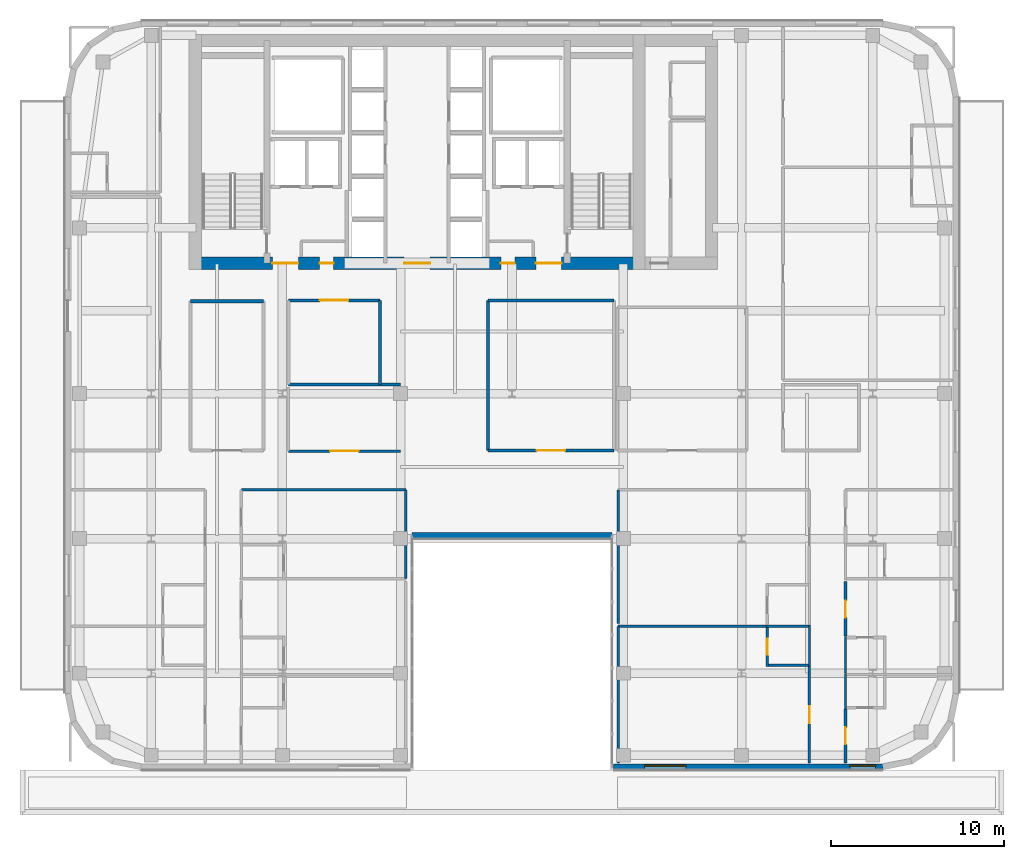
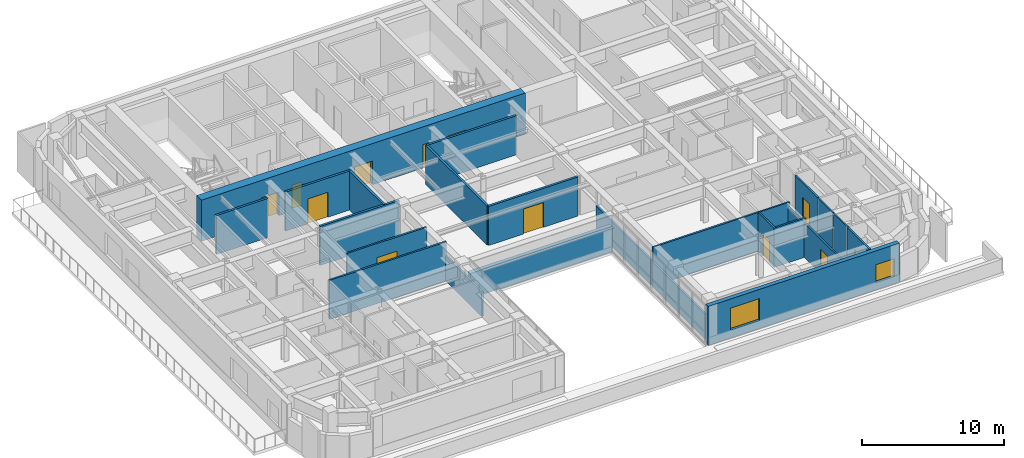
# One storey, part 11 of 20: 25 walls, 12 doors, 2 windows, 14 openings.
"""IFC4 building model written with IfcOpenShell, lengths in metres."""

from ifc_helpers import new_model, si_unit, direction, frame, frame_2d, origin, place, context, subcontext, project, spatial, rectangle, extrude, source, transform, mapped, material, layer, layer_set, type_object, type_shapes, element, fill, save


model = new_model("IFC4")

# Units and contexts
model_context = context("Model", 3, precision=1e-05, world=origin(), true_north=direction((0.0, 1.0)))
body_context = subcontext(model_context, "Body", "Model", "MODEL_VIEW")
ifc_project = project(units=[si_unit("LENGTHUNIT", "METRE"), si_unit("AREAUNIT", "SQUARE_METRE"), si_unit("VOLUMEUNIT", "CUBIC_METRE"), si_unit("PLANEANGLEUNIT", "RADIAN"), si_unit("MASSUNIT", "GRAM", prefix="KILO")], contexts=[model_context])

# Site, building, storey
site_placement = place(None, origin())
site = spatial("IfcSite", under=ifc_project, at=site_placement, CompositionType="ELEMENT")
building_placement = place(site_placement, origin())
building = spatial("IfcBuilding", under=site, at=building_placement, Name="Tolvann Quenvar Hotel", CompositionType="ELEMENT")
storey_placement = place(building_placement, frame((0.0, 0.0, 147.050048828125)))
storey = spatial("IfcBuildingStorey", under=building, at=storey_placement, Name="L38", CompositionType="ELEMENT", Elevation=147.050048828125)

# Wall, openings, doors
ifc_material_1 = material(Name="Concrete S65 (65 MPa)", Category="concrete")
ifc_layer_1 = layer(ifc_material_1, 0.699951171875)
ifc_layer_set_1 = layer_set([ifc_layer_1], Name="Concrete S65 (65 MPa)")
wall_type_1 = type_object("IfcWallType", Name="WALL_CORE_700", PredefinedType="SHEAR", material=ifc_layer_set_1)
wall_1_placement = place(storey_placement, frame((9.800048828125, 31.949951171875, 0.0), z_axis=(0.0, 0.0, 1.0), x_axis=(1.0, 0.0, 0.0)))
wall_1 = element("IfcWall", 1, at=wall_1_placement, inside=storey, type_object=wall_type_1, Name="Rear Core S Shear Wall (L38)", PredefinedType="SHEAR", context=body_context, shape_type="SweptSolid", body=[
    extrude(rectangle(XDim=26.39990234375, YDim=0.699951171875, at=frame_2d((13.199951171875, 0.0))), origin(), (0.0, 0.0, 1.0), 3.550048828125),
])
opening_1_placement = place(wall_1_placement, frame((6.320068359375, 0.0, 0.0), z_axis=(0.0, 0.0, 1.0), x_axis=(-1.0, 0.0, 0.0)))
opening_1 = element("IfcOpeningElement", 2, at=opening_1_placement, cuts=wall_1, Name="Opening FD-60D", PredefinedType="OPENING", context=body_context, shape_type="SweptSolid", body=[
    extrude(rectangle(XDim=1.5, YDim=2.0400390625, at=frame_2d((0.75, 1.02001953125))), frame((0.0, 0.35986328125, 0.0), z_axis=(0.0, -1.0, 0.0), x_axis=(1.0, 0.0, 0.0)), (0.0, 0.0, 1.0), 0.719970703125),
])
opening_2_placement = place(wall_1_placement, frame((13.949951171875, 0.0, 0.0), z_axis=(0.0, 0.0, 1.0), x_axis=(-1.0, 0.0, 0.0)))
opening_2 = element("IfcOpeningElement", 3, at=opening_2_placement, cuts=wall_1, Name="Opening FD-60D", PredefinedType="OPENING", context=body_context, shape_type="SweptSolid", body=[
    extrude(rectangle(XDim=1.5, YDim=2.0400390625, at=frame_2d((0.75, 1.02001953125))), frame((0.0, 0.35986328125, 0.0), z_axis=(0.0, -1.0, 0.0), x_axis=(1.0, 0.0, 0.0)), (0.0, 0.0, 1.0), 0.719970703125),
])
opening_3_placement = place(wall_1_placement, frame((21.580078125, 0.0, 0.0), z_axis=(0.0, 0.0, 1.0), x_axis=(-1.0, 0.0, 0.0)))
opening_3 = element("IfcOpeningElement", 4, at=opening_3_placement, cuts=wall_1, Name="Opening FD-60D", PredefinedType="OPENING", context=body_context, shape_type="SweptSolid", body=[
    extrude(rectangle(XDim=1.5, YDim=2.0400390625, at=frame_2d((0.75, 1.02001953125))), frame((0.0, 0.35986328125, 0.0), z_axis=(0.0, -1.0, 0.0), x_axis=(1.0, 0.0, 0.0)), (0.0, 0.0, 1.0), 0.719970703125),
])
opening_4_placement = place(wall_1_placement, frame((8.3701171875, 0.0, 0.0), z_axis=(0.0, 0.0, 1.0), x_axis=(-1.0, 0.0, 0.0)))
opening_4 = element("IfcOpeningElement", 5, at=opening_4_placement, cuts=wall_1, Name="Opening HD-02", PredefinedType="OPENING", context=body_context, shape_type="SweptSolid", body=[
    extrude(rectangle(XDim=0.820068359375, YDim=2.010009765625, at=frame_2d((0.41015625, 1.0048828125))), frame((0.0, 0.35986328125, 0.0), z_axis=(0.0, -1.0, 0.0), x_axis=(1.0, 0.0, 0.0)), (0.0, 0.0, 1.0), 0.719970703125),
])
opening_5_placement = place(wall_1_placement, frame((18.8701171875, 0.0, 0.0), z_axis=(0.0, 0.0, 1.0), x_axis=(-1.0, 0.0, 0.0)))
opening_5 = element("IfcOpeningElement", 6, at=opening_5_placement, cuts=wall_1, Name="Opening HD-02", PredefinedType="OPENING", context=body_context, shape_type="SweptSolid", body=[
    extrude(rectangle(XDim=0.820068359375, YDim=2.010009765625, at=frame_2d((0.41015625, 1.0048828125))), frame((0.0, 0.35986328125, 0.0), z_axis=(0.0, -1.0, 0.0), x_axis=(1.0, 0.0, 0.0)), (0.0, 0.0, 1.0), 0.719970703125),
])
ifc_material_2 = material(Name="Solid-core American oak acoustic fire door leaf in steel frame", Category="steel")
door_type_1 = type_object("IfcDoorType", Name="DOOR_FIRE_LOBBY_1500", OperationType="NOTDEFINED", PredefinedType="DOOR", material=ifc_material_2)
shared_shape_1 = source(origin(), body_context, "Body", "SweptSolid", [
    extrude(rectangle(XDim=1.5, YDim=2.0400390625, at=frame_2d((0.75, 1.02001953125))), frame((0.0, 0.02490234375, 0.0), z_axis=(0.0, -1.0, 0.0), x_axis=(1.0, 0.0, 0.0)), (0.0, 0.0, 1.0), 0.050048828125),
])
type_shapes(door_type_1, [shared_shape_1])
door_1_placement = place(opening_1_placement, origin())
door_1 = element("IfcDoor", 7, at=door_1_placement, inside=storey, type_object=door_type_1, Name="Core Lobby Fire Door FFW (L38)", OperationType="DOUBLE_DOOR_SINGLE_SWING", OverallHeight=2.0400390625, OverallWidth=1.5, PredefinedType="DOOR", context=body_context, shape_type="MappedRepresentation", body=[
    mapped(shared_shape_1, transform((0.0, 0.0, 0.0), x_axis=(1.0, 0.0, 0.0), y_axis=(0.0, 1.0, 0.0), z_axis=(0.0, 0.0, 1.0), scale=1.0)),
])
fill(opening_1, door_1)
door_2_placement = place(opening_2_placement, origin())
door_2 = element("IfcDoor", 8, at=door_2_placement, inside=storey, type_object=door_type_1, Name="Core Lobby Fire Door CLOB (L38)", OperationType="DOUBLE_DOOR_SINGLE_SWING", OverallHeight=2.0400390625, OverallWidth=1.5, PredefinedType="DOOR", context=body_context, shape_type="MappedRepresentation", body=[
    mapped(shared_shape_1, transform((0.0, 0.0, 0.0), x_axis=(1.0, 0.0, 0.0), y_axis=(0.0, 1.0, 0.0), z_axis=(0.0, 0.0, 1.0), scale=1.0)),
])
fill(opening_2, door_2)
door_3_placement = place(opening_3_placement, origin())
door_3 = element("IfcDoor", 9, at=door_3_placement, inside=storey, type_object=door_type_1, Name="Core Lobby Fire Door FFE (L38)", OperationType="DOUBLE_DOOR_SINGLE_SWING", OverallHeight=2.0400390625, OverallWidth=1.5, PredefinedType="DOOR", context=body_context, shape_type="MappedRepresentation", body=[
    mapped(shared_shape_1, transform((0.0, 0.0, 0.0), x_axis=(1.0, 0.0, 0.0), y_axis=(0.0, 1.0, 0.0), z_axis=(0.0, 0.0, 1.0), scale=1.0)),
])
fill(opening_3, door_3)
ifc_material_3 = material(Name="Pressed galvanised steel fire-rated door set", Category="steel")
door_type_2 = type_object("IfcDoorType", Name="DOOR_STORE_820", OperationType="NOTDEFINED", PredefinedType="DOOR", material=ifc_material_3)
shared_shape_2 = source(origin(), body_context, "Body", "SweptSolid", [
    extrude(rectangle(XDim=0.820068359375, YDim=2.010009765625, at=frame_2d((0.41015625, 1.0048828125))), frame((0.0, 0.02490234375, 0.0), z_axis=(0.0, -1.0, 0.0), x_axis=(1.0, 0.0, 0.0)), (0.0, 0.0, 1.0), 0.050048828125),
])
type_shapes(door_type_2, [shared_shape_2])
door_4_placement = place(opening_4_placement, origin())
door_4 = element("IfcDoor", 10, at=door_4_placement, inside=storey, type_object=door_type_2, Name="Core Linen Store Fire Door (L38)", OperationType="SINGLE_SWING_LEFT", OverallHeight=2.010009765625, OverallWidth=0.820068359375, PredefinedType="DOOR", context=body_context, shape_type="MappedRepresentation", body=[
    mapped(shared_shape_2, transform((0.0, 0.0, 0.0), x_axis=(1.0, 0.0, 0.0), y_axis=(0.0, 1.0, 0.0), z_axis=(0.0, 0.0, 1.0), scale=1.0)),
])
fill(opening_4, door_4)
door_5_placement = place(opening_5_placement, origin())
door_5 = element("IfcDoor", 11, at=door_5_placement, inside=storey, type_object=door_type_2, Name="Core Comms Closet Fire Door (L38)", OperationType="SINGLE_SWING_RIGHT", OverallHeight=2.010009765625, OverallWidth=0.820068359375, PredefinedType="DOOR", context=body_context, shape_type="MappedRepresentation", body=[
    mapped(shared_shape_2, transform((0.0, 0.0, 0.0), x_axis=(1.0, 0.0, 0.0), y_axis=(0.0, 1.0, 0.0), z_axis=(0.0, 0.0, 1.0), scale=1.0)),
])
fill(opening_5, door_5)

# Wall
ifc_material_4 = material(Name="Kiln-fired red and buff architectural clay brickwork and terracotta masonry", Category="masonry")
ifc_layer_2 = layer(ifc_material_4, 0.35009765625)
ifc_layer_set_2 = layer_set([ifc_layer_2], Name="Kiln-fired red and buff architectural clay brickwork and terracotta masonry")
wall_type_2 = type_object("IfcWallType", Name="WALL_EXT_BRICK_350", PredefinedType="SOLIDWALL", material=ifc_layer_set_2)
wall_2_placement = place(storey_placement, frame((22.7099609375, 16.175048828125, 0.0), z_axis=(0.0, 0.0, 1.0), x_axis=(1.0, 0.0, 0.0)))
element("IfcWall", 12, at=wall_2_placement, inside=storey, type_object=wall_type_2, Name="Exterior Chicago Brick Wall L38-E06", PredefinedType="SOLIDWALL", context=body_context, shape_type="SweptSolid", body=[
    extrude(rectangle(XDim=11.580078125, YDim=0.35009765625, at=frame_2d((5.7900390625, 0.0))), origin(), (0.0, 0.0, 1.0), 2.159912109375),
])

# Wall, openings, windows
wall_3_placement = place(storey_placement, frame((34.375, 2.77490234375, 0.0), z_axis=(0.0, 0.0, 1.0), x_axis=(1.0, 0.0, 0.0)))
wall_3 = element("IfcWall", 13, at=wall_3_placement, inside=storey, type_object=wall_type_2, Name="Exterior Chicago Brick Wall L38-E08", PredefinedType="SOLIDWALL", context=body_context, shape_type="SweptSolid", body=[
    extrude(rectangle(XDim=15.60791015625, YDim=0.35009765625, at=frame_2d((7.803955078125, 0.0))), origin(), (0.0, 0.0, 1.0), 3.369873046875),
])
opening_6_placement = place(wall_3_placement, frame((1.801025390625, 0.0, 0.679931640625)))
opening_6 = element("IfcOpeningElement", 14, at=opening_6_placement, cuts=wall_3, Name="Opening W-01", PredefinedType="OPENING", context=body_context, shape_type="SweptSolid", body=[
    extrude(rectangle(XDim=2.39990234375, YDim=1.89990234375, at=frame_2d((1.199951171875, 0.949951171875))), frame((0.0, 0.18505859375, 0.0), z_axis=(0.0, -1.0, 0.0), x_axis=(1.0, 0.0, 0.0)), (0.0, 0.0, 1.0), 0.3701171875),
])
opening_7_placement = place(wall_3_placement, frame((13.69091796875, 0.0, 0.6201171875)))
opening_7 = element("IfcOpeningElement", 15, at=opening_7_placement, cuts=wall_3, Name="Opening W-08", PredefinedType="OPENING", context=body_context, shape_type="SweptSolid", body=[
    extrude(rectangle(XDim=1.5, YDim=1.550048828125, at=frame_2d((0.75, 0.77490234375))), frame((0.0, 0.18505859375, 0.0), z_axis=(0.0, -1.0, 0.0), x_axis=(1.0, 0.0, 0.0)), (0.0, 0.0, 1.0), 0.3701171875),
])
ifc_material_5 = material(Name="Thermally broken bronze-anodised aluminium frame with double low-E glazing", Category="aluminium")
window_type_1 = type_object("IfcWindowType", Name="WIN_COR_1500x2050", PartitioningType="SINGLE_PANEL", PredefinedType="WINDOW", material=ifc_material_5)
shared_shape_3 = source(origin(), body_context, "Body", "SweptSolid", [
    extrude(rectangle(XDim=1.5, YDim=1.550048828125, at=frame_2d((0.75, 0.77490234375))), frame((0.0, 0.090087890625, 0.0), z_axis=(0.0, -1.0, 0.0), x_axis=(1.0, 0.0, 0.0)), (0.0, 0.0, 1.0), 0.06005859375),
])
type_shapes(window_type_1, [shared_shape_3])
window_1_placement = place(opening_7_placement, origin())
window_1 = element("IfcWindow", 16, at=window_1_placement, inside=storey, type_object=window_type_1, Name="Chicago Window W-08 (EW-L38-E08-WD02)", OverallHeight=1.550048828125, OverallWidth=1.5, PartitioningType="SINGLE_PANEL", PredefinedType="WINDOW", context=body_context, shape_type="MappedRepresentation", body=[
    mapped(shared_shape_3, transform((0.0, 0.0, 0.0), x_axis=(1.0, 0.0, 0.0), y_axis=(0.0, 1.0, 0.0), z_axis=(0.0, 0.0, 1.0), scale=1.0)),
])
fill(opening_7, window_1)
window_type_2 = type_object("IfcWindowType", Name="WIN_CHI_2400x2050", PartitioningType="TRIPLE_PANEL_HORIZONTAL", PredefinedType="WINDOW", material=ifc_material_5)
shared_shape_4 = source(origin(), body_context, "Body", "SweptSolid", [
    extrude(rectangle(XDim=2.39990234375, YDim=1.89990234375, at=frame_2d((1.199951171875, 0.949951171875))), frame((0.0, 0.090087890625, 0.0), z_axis=(0.0, -1.0, 0.0), x_axis=(1.0, 0.0, 0.0)), (0.0, 0.0, 1.0), 0.06005859375),
])
type_shapes(window_type_2, [shared_shape_4])
window_2_placement = place(opening_6_placement, origin())
window_2 = element("IfcWindow", 17, at=window_2_placement, inside=storey, type_object=window_type_2, Name="Chicago Window W-01 (EW-L38-E08-W01)", OverallHeight=1.89990234375, OverallWidth=2.39990234375, PartitioningType="TRIPLE_PANEL_HORIZONTAL", PredefinedType="WINDOW", context=body_context, shape_type="MappedRepresentation", body=[
    mapped(shared_shape_4, transform((0.0, 0.0, 0.0), x_axis=(1.0, 0.0, 0.0), y_axis=(0.0, 1.0, 0.0), z_axis=(0.0, 0.0, 1.0), scale=1.0)),
])
fill(opening_6, window_2)

# Wall
ifc_material_6 = material(Name="Acoustic twin-stud fire-rated gypsum plasterboard partition")
ifc_layer_3 = layer(ifc_material_6, 0.179931640625)
ifc_layer_set_3 = layer_set([ifc_layer_3], Name="Acoustic twin-stud fire-rated gypsum plasterboard partition")
wall_type_3 = type_object("IfcWallType", Name="WALL_PART_ACOUSTIC_180", PredefinedType="PARTITIONING", material=ifc_layer_set_3)
wall_4_placement = place(storey_placement, frame((9.8798828125, 29.75, 0.0), z_axis=(0.0, 0.0, 1.0), x_axis=(1.0, 0.0, 0.0)))
element("IfcWall", 18, at=wall_4_placement, inside=storey, type_object=wall_type_3, Name="Interior Partition PT-SPC-L38-MSP-W-N", PredefinedType="PARTITIONING", context=body_context, shape_type="SweptSolid", body=[
    extrude(rectangle(XDim=4.22021484375, YDim=0.179931640625, at=frame_2d((2.110107421875, 0.0))), origin(), (0.0, 0.0, 1.0), 3.369873046875),
])

# Wall, opening, door
wall_5_placement = place(storey_placement, frame((27.10009765625, 21.10009765625, 0.0), z_axis=(0.0, 0.0, 1.0), x_axis=(1.0, 0.0, 0.0)))
wall_5 = element("IfcWall", 19, at=wall_5_placement, inside=storey, type_object=wall_type_3, Name="Interior Partition PT-SPC-L38-MSP-C-S", PredefinedType="PARTITIONING", context=body_context, shape_type="SweptSolid", body=[
    extrude(rectangle(XDim=7.2998046875, YDim=0.179931640625, at=frame_2d((3.64990234375, 0.0))), origin(), (0.0, 0.0, 1.0), 3.369873046875),
])
opening_8_placement = place(wall_5_placement, frame((2.824951171875, 0.0, 0.0)))
opening_8 = element("IfcOpeningElement", 20, at=opening_8_placement, cuts=wall_5, Name="Opening AD-01", PredefinedType="OPENING", context=body_context, shape_type="SweptSolid", body=[
    extrude(rectangle(XDim=1.64990234375, YDim=2.14990234375, at=frame_2d((0.824951171875, 1.074951171875))), frame((0.0, 0.10009765625, 0.0), z_axis=(0.0, -1.0, 0.0), x_axis=(1.0, 0.0, 0.0)), (0.0, 0.0, 1.0), 0.199951171875),
])
door_type_3 = type_object("IfcDoorType", Name="DOOR_SALON_1650", OperationType="NOTDEFINED", PredefinedType="DOOR", material=ifc_material_2)
shared_shape_5 = source(origin(), body_context, "Body", "SweptSolid", [
    extrude(rectangle(XDim=1.64990234375, YDim=2.14990234375, at=frame_2d((0.824951171875, 1.074951171875))), frame((0.0, 0.02490234375, 0.0), z_axis=(0.0, -1.0, 0.0), x_axis=(1.0, 0.0, 0.0)), (0.0, 0.0, 1.0), 0.050048828125),
])
type_shapes(door_type_3, [shared_shape_5])
door_6_placement = place(opening_8_placement, origin())
door_6 = element("IfcDoor", 21, at=door_6_placement, inside=storey, type_object=door_type_3, Name="Interior Door DOOR-SPC-L38-MSP-C", OperationType="DOUBLE_DOOR_SINGLE_SWING", OverallHeight=2.14990234375, OverallWidth=1.64990234375, PredefinedType="DOOR", context=body_context, shape_type="MappedRepresentation", body=[
    mapped(shared_shape_5, transform((0.0, 0.0, 0.0), x_axis=(1.0, 0.0, 0.0), y_axis=(0.0, 1.0, 0.0), z_axis=(0.0, 0.0, 1.0), scale=1.0)),
])
fill(opening_8, door_6)

# Walls
wall_6_placement = place(storey_placement, frame((27.10009765625, 29.800048828125, 0.0), z_axis=(0.0, 0.0, 1.0), x_axis=(1.0, 0.0, 0.0)))
element("IfcWall", 22, at=wall_6_placement, inside=storey, type_object=wall_type_3, Name="Interior Partition PT-SPC-L38-MSP-C-N", PredefinedType="PARTITIONING", context=body_context, shape_type="SweptSolid", body=[
    extrude(rectangle(XDim=7.2998046875, YDim=0.179931640625, at=frame_2d((3.64990234375, 0.0))), origin(), (0.0, 0.0, 1.0), 3.369873046875),
])
wall_7_placement = place(storey_placement, frame((27.10009765625, 21.10009765625, 0.0), z_axis=(0.0, 0.0, 1.0), x_axis=(0.0, 1.0, 0.0)))
element("IfcWall", 23, at=wall_7_placement, inside=storey, type_object=wall_type_3, Name="Interior Partition PT-SPC-L38-MSP-C-W", PredefinedType="PARTITIONING", context=body_context, shape_type="SweptSolid", body=[
    extrude(rectangle(XDim=8.699951171875, YDim=0.179931640625, at=frame_2d((4.35009765625, 0.0))), origin(), (0.0, 0.0, 1.0), 3.369873046875),
])
wall_8_placement = place(storey_placement, frame((15.550048828125, 24.919921875, 0.0), z_axis=(0.0, 0.0, 1.0), x_axis=(1.0, 0.0, 0.0)))
element("IfcWall", 24, at=wall_8_placement, inside=storey, type_object=wall_type_3, Name="Interior Partition PT-SPC-L38-MSP-N-S", PredefinedType="PARTITIONING", context=body_context, shape_type="SweptSolid", body=[
    extrude(rectangle(XDim=6.489990234375, YDim=0.179931640625, at=frame_2d((3.2451171875, 0.0))), origin(), (0.0, 0.0, 1.0), 3.369873046875),
])

# Wall, opening, door
wall_9_placement = place(storey_placement, frame((15.550048828125, 29.800048828125, 0.0), z_axis=(0.0, 0.0, 1.0), x_axis=(1.0, 0.0, 0.0)))
wall_9 = element("IfcWall", 25, at=wall_9_placement, inside=storey, type_object=wall_type_3, Name="Interior Partition PT-SPC-L38-MSP-N-N", PredefinedType="PARTITIONING", context=body_context, shape_type="SweptSolid", body=[
    extrude(rectangle(XDim=5.300048828125, YDim=0.179931640625, at=frame_2d((2.64990234375, 0.0))), origin(), (0.0, 0.0, 1.0), 3.369873046875),
])
opening_9_placement = place(wall_9_placement, frame((1.824951171875, 0.0, 0.0)))
opening_9 = element("IfcOpeningElement", 26, at=opening_9_placement, cuts=wall_9, Name="Opening AD-01", PredefinedType="OPENING", context=body_context, shape_type="SweptSolid", body=[
    extrude(rectangle(XDim=1.64990234375, YDim=2.14990234375, at=frame_2d((0.824951171875, 1.074951171875))), frame((0.0, 0.10009765625, 0.0), z_axis=(0.0, -1.0, 0.0), x_axis=(1.0, 0.0, 0.0)), (0.0, 0.0, 1.0), 0.199951171875),
])
door_7_placement = place(opening_9_placement, origin())
door_7 = element("IfcDoor", 27, at=door_7_placement, inside=storey, type_object=door_type_3, Name="Interior Door DOOR-SPC-L38-MSP-N", OperationType="DOUBLE_DOOR_SINGLE_SWING", OverallHeight=2.14990234375, OverallWidth=1.64990234375, PredefinedType="DOOR", context=body_context, shape_type="MappedRepresentation", body=[
    mapped(shared_shape_5, transform((0.0, 0.0, 0.0), x_axis=(1.0, 0.0, 0.0), y_axis=(0.0, 1.0, 0.0), z_axis=(0.0, 0.0, 1.0), scale=1.0)),
])
fill(opening_9, door_7)

# Walls
wall_10_placement = place(storey_placement, frame((20.85009765625, 24.919921875, 0.0), z_axis=(0.0, 0.0, 1.0), x_axis=(0.0, 1.0, 0.0)))
element("IfcWall", 28, at=wall_10_placement, inside=storey, type_object=wall_type_3, Name="Interior Partition PT-SPC-L38-MSP-N-E", PredefinedType="PARTITIONING", context=body_context, shape_type="SweptSolid", body=[
    extrude(rectangle(XDim=4.880126953125, YDim=0.179931640625, at=frame_2d((2.43994140625, 0.0))), origin(), (0.0, 0.0, 1.0), 3.369873046875),
])
ifc_material_7 = material(Name="Moisture-resistant acoustic plumbing wall assembly")
ifc_layer_4 = layer(ifc_material_7, 0.1201171875)
ifc_layer_set_4 = layer_set([ifc_layer_4], Name="Moisture-resistant acoustic plumbing wall assembly")
wall_type_4 = type_object("IfcWallType", Name="WALL_PART_BATH_120", PredefinedType="PLUMBINGWALL", material=ifc_layer_set_4)
wall_11_placement = place(storey_placement, frame((43.2099609375, 10.919921875, 0.0), z_axis=(0.0, 0.0, 1.0), x_axis=(1.0, 0.0, 0.0)))
element("IfcWall", 29, at=wall_11_placement, inside=storey, type_object=wall_type_4, Name="Non-Rated Plumbing Partition PT-SPC-L38-ENS-EI01-N", PredefinedType="PLUMBINGWALL", context=body_context, shape_type="SweptSolid", body=[
    extrude(rectangle(XDim=2.590087890625, YDim=0.1201171875, at=frame_2d((1.294921875, 0.0))), origin(), (0.0, 0.0, 1.0), 3.369873046875),
])
wall_12_placement = place(storey_placement, frame((45.72998046875, 8.60009765625, 0.0), z_axis=(0.0, 0.0, 1.0), x_axis=(0.0, 1.0, 0.0)))
element("IfcWall", 30, at=wall_12_placement, inside=storey, type_object=wall_type_4, Name="Non-Rated Plumbing Partition PT-SPC-L38-ENS-EI01-E", PredefinedType="PLUMBINGWALL", context=body_context, shape_type="SweptSolid", body=[
    extrude(rectangle(XDim=2.389892578125, YDim=0.1201171875, at=frame_2d((1.19482421875, 0.0))), origin(), (0.0, 0.0, 1.0), 3.0009765625),
])
wall_13_placement = place(storey_placement, frame((47.820068359375, 6.135009765625, 0.0), z_axis=(0.0, 0.0, 1.0), x_axis=(0.0, 1.0, 0.0)))
element("IfcWall", 31, at=wall_13_placement, inside=storey, type_object=wall_type_4, Name="Non-Rated Plumbing Partition PT-SPC-L38-ENS-EO01-W", PredefinedType="PLUMBINGWALL", context=body_context, shape_type="SweptSolid", body=[
    extrude(rectangle(XDim=2.054931640625, YDim=0.1201171875, at=frame_2d((1.02734375, 0.0))), origin(), (0.0, 0.0, 1.0), 3.369873046875),
])
wall_14_placement = place(storey_placement, frame((47.820068359375, 8.2099609375, 0.0), z_axis=(0.0, 0.0, 1.0), x_axis=(0.0, 1.0, 0.0)))
element("IfcWall", 32, at=wall_14_placement, inside=storey, type_object=wall_type_4, Name="Non-Rated Plumbing Partition PT-SPC-L38-ENS-EO02-W", PredefinedType="PLUMBINGWALL", context=body_context, shape_type="SweptSolid", body=[
    extrude(rectangle(XDim=2.131103515625, YDim=0.1201171875, at=frame_2d((1.0654296875, 0.0))), origin(), (0.0, 0.0, 1.0), 3.369873046875),
])

# Wall, opening, door
ifc_layer_5 = layer(ifc_material_6, 0.14990234375)
ifc_layer_set_5 = layer_set([ifc_layer_5], Name="Acoustic twin-stud fire-rated gypsum plasterboard partition")
wall_type_5 = type_object("IfcWallType", Name="WALL_PART_SUITE_150", PredefinedType="PARTITIONING", material=ifc_layer_set_5)
wall_15_placement = place(storey_placement, frame((43.280029296875, 8.60009765625, 0.0), z_axis=(0.0, 0.0, 1.0), x_axis=(0.0, 1.0, 0.0)))
wall_15 = element("IfcWall", 33, at=wall_15_placement, inside=storey, type_object=wall_type_5, Name="Interior Partition PT-SPC-L38-ENS-EI01-ENT", PredefinedType="PARTITIONING", context=body_context, shape_type="SweptSolid", body=[
    extrude(rectangle(XDim=2.389892578125, YDim=0.14990234375, at=frame_2d((1.19482421875, 0.0))), origin(), (0.0, 0.0, 1.0), 3.369873046875),
])
opening_10_placement = place(wall_15_placement, frame((0.6650390625, 0.0, 0.0)))
opening_10 = element("IfcOpeningElement", 34, at=opening_10_placement, cuts=wall_15, Name="Opening WD-01", PredefinedType="OPENING", context=body_context, shape_type="SweptSolid", body=[
    extrude(rectangle(XDim=0.919921875, YDim=2.010009765625, at=frame_2d((0.4599609375, 1.0048828125))), frame((0.0, 0.0849609375, 0.0), z_axis=(0.0, -1.0, 0.0), x_axis=(1.0, 0.0, 0.0)), (0.0, 0.0, 1.0), 0.169921875),
])
door_type_4 = type_object("IfcDoorType", Name="DOOR_WC_920", OperationType="NOTDEFINED", PredefinedType="DOOR", material=ifc_material_2)
shared_shape_6 = source(origin(), body_context, "Body", "SweptSolid", [
    extrude(rectangle(XDim=0.919921875, YDim=2.010009765625, at=frame_2d((0.4599609375, 1.0048828125))), frame((0.0, 0.02490234375, 0.0), z_axis=(0.0, -1.0, 0.0), x_axis=(1.0, 0.0, 0.0)), (0.0, 0.0, 1.0), 0.050048828125),
])
type_shapes(door_type_4, [shared_shape_6])
door_8_placement = place(opening_10_placement, origin())
door_8 = element("IfcDoor", 35, at=door_8_placement, inside=storey, type_object=door_type_4, Name="Interior Door DOOR-SPC-L38-ENS-EI01", OperationType="SINGLE_SWING_RIGHT", OverallHeight=2.010009765625, OverallWidth=0.919921875, PredefinedType="DOOR", context=body_context, shape_type="MappedRepresentation", body=[
    mapped(shared_shape_6, transform((0.0, 0.0, 0.0), x_axis=(1.0, 0.0, 0.0), y_axis=(0.0, 1.0, 0.0), z_axis=(0.0, 0.0, 1.0), scale=1.0)),
])
fill(opening_10, door_8)

# Walls
wall_16_placement = place(storey_placement, frame((43.2099609375, 8.669921875, 0.0), z_axis=(0.0, 0.0, 1.0), x_axis=(1.0, 0.0, 0.0)))
element("IfcWall", 36, at=wall_16_placement, inside=storey, type_object=wall_type_5, Name="Interior Partition PT-SPC-L38-ENS-EI01-S", PredefinedType="PARTITIONING", context=body_context, shape_type="SweptSolid", body=[
    extrude(rectangle(XDim=2.590087890625, YDim=0.14990234375, at=frame_2d((1.294921875, 0.0))), origin(), (0.0, 0.0, 1.0), 3.369873046875),
])
wall_17_placement = place(storey_placement, frame((22.35009765625, 13.679931640625, 0.0), z_axis=(0.0, 0.0, 1.0), x_axis=(0.0, 1.0, 0.0)))
element("IfcWall", 37, at=wall_17_placement, inside=storey, type_object=wall_type_5, Name="Interior Partition PT-SPC-L38-RM-WI03-E4", PredefinedType="PARTITIONING", context=body_context, shape_type="SweptSolid", body=[
    extrude(rectangle(XDim=5.14013671875, YDim=0.14990234375, at=frame_2d((2.570068359375, 0.0))), origin(), (0.0, 0.0, 1.0), 2.159912109375),
])
wall_18_placement = place(storey_placement, frame((12.820068359375, 18.820068359375, 0.0), z_axis=(0.0, 0.0, 1.0), x_axis=(1.0, 0.0, 0.0)))
element("IfcWall", 38, at=wall_18_placement, inside=storey, type_object=wall_type_5, Name="Interior Partition PT-SPC-L38-RM-WI03-E5", PredefinedType="PARTITIONING", context=body_context, shape_type="SweptSolid", body=[
    extrude(rectangle(XDim=9.530029296875, YDim=0.14990234375, at=frame_2d((4.76513671875, 0.0))), origin(), (0.0, 0.0, 1.0), 3.369873046875),
])

# Wall, opening, door
wall_19_placement = place(storey_placement, frame((45.72998046875, 3.0048828125, 0.0), z_axis=(0.0, 0.0, 1.0), x_axis=(0.0, 1.0, 0.0)))
wall_19 = element("IfcWall", 39, at=wall_19_placement, inside=storey, type_object=wall_type_5, Name="Interior Partition PT-SPC-L38-RM-EI01-ENT", PredefinedType="PARTITIONING", context=body_context, shape_type="SweptSolid", body=[
    extrude(rectangle(XDim=5.585205078125, YDim=0.14990234375, at=frame_2d((2.79248046875, 0.0))), origin(), (0.0, 0.0, 1.0), 3.0009765625),
])
opening_11_placement = place(wall_19_placement, frame((2.31005859375, 0.0, 0.0)))
opening_11 = element("IfcOpeningElement", 40, at=opening_11_placement, cuts=wall_19, Name="Opening SD-01", PredefinedType="OPENING", context=body_context, shape_type="SweptSolid", body=[
    extrude(rectangle(XDim=0.97998046875, YDim=2.1201171875, at=frame_2d((0.489990234375, 1.06005859375))), frame((0.0, 0.0849609375, 0.0), z_axis=(0.0, -1.0, 0.0), x_axis=(1.0, 0.0, 0.0)), (0.0, 0.0, 1.0), 0.169921875),
])
door_type_5 = type_object("IfcDoorType", Name="DOOR_SUITE_980", OperationType="NOTDEFINED", PredefinedType="DOOR", material=ifc_material_2)
shared_shape_7 = source(origin(), body_context, "Body", "SweptSolid", [
    extrude(rectangle(XDim=0.97998046875, YDim=2.1201171875, at=frame_2d((0.489990234375, 1.06005859375))), frame((0.0, 0.02490234375, 0.0), z_axis=(0.0, -1.0, 0.0), x_axis=(1.0, 0.0, 0.0)), (0.0, 0.0, 1.0), 0.050048828125),
])
type_shapes(door_type_5, [shared_shape_7])
door_9_placement = place(opening_11_placement, origin())
door_9 = element("IfcDoor", 41, at=door_9_placement, inside=storey, type_object=door_type_5, Name="Interior Door DOOR-SPC-L38-RM-EI01", OperationType="SINGLE_SWING_LEFT", OverallHeight=2.1201171875, OverallWidth=0.97998046875, PredefinedType="DOOR", context=body_context, shape_type="MappedRepresentation", body=[
    mapped(shared_shape_7, transform((0.0, 0.0, 0.0), x_axis=(1.0, 0.0, 0.0), y_axis=(0.0, 1.0, 0.0), z_axis=(0.0, 0.0, 1.0), scale=1.0)),
])
fill(opening_11, door_9)

# Walls
wall_20_placement = place(storey_placement, frame((34.64990234375, 10.919921875, 0.0), z_axis=(0.0, 0.0, 1.0), x_axis=(1.0, 0.0, 0.0)))
element("IfcWall", 42, at=wall_20_placement, inside=storey, type_object=wall_type_5, Name="Interior Partition PT-SPC-L38-RM-EI01-E5", PredefinedType="PARTITIONING", context=body_context, shape_type="SweptSolid", body=[
    extrude(rectangle(XDim=8.610107421875, YDim=0.14990234375, at=frame_2d((4.30517578125, 0.0))), origin(), (0.0, 0.0, 1.0), 3.369873046875),
])
wall_21_placement = place(storey_placement, frame((34.64990234375, 3.0048828125, 0.0), z_axis=(0.0, 0.0, 1.0), x_axis=(0.0, 1.0, 0.0)))
element("IfcWall", 43, at=wall_21_placement, inside=storey, type_object=wall_type_5, Name="Interior Partition PT-SPC-L38-RM-EI01-E6", PredefinedType="PARTITIONING", context=body_context, shape_type="SweptSolid", body=[
    extrude(rectangle(XDim=7.9150390625, YDim=0.14990234375, at=frame_2d((3.95751953125, 0.0))), origin(), (0.0, 0.0, 1.0), 2.159912109375),
])
wall_22_placement = place(storey_placement, frame((34.64990234375, 11.080078125, 0.0), z_axis=(0.0, 0.0, 1.0), x_axis=(0.0, 1.0, 0.0)))
element("IfcWall", 44, at=wall_22_placement, inside=storey, type_object=wall_type_5, Name="Interior Partition PT-SPC-L38-RM-EI02-E6", PredefinedType="PARTITIONING", context=body_context, shape_type="SweptSolid", body=[
    extrude(rectangle(XDim=7.739990234375, YDim=0.14990234375, at=frame_2d((3.8701171875, 0.0))), origin(), (0.0, 0.0, 1.0), 2.159912109375),
])

# Wall, opening, door
wall_23_placement = place(storey_placement, frame((47.820068359375, 3.0048828125, 0.0), z_axis=(0.0, 0.0, 1.0), x_axis=(0.0, 1.0, 0.0)))
wall_23 = element("IfcWall", 45, at=wall_23_placement, inside=storey, type_object=wall_type_5, Name="Interior Partition PT-SPC-L38-RM-EO01-ENT", PredefinedType="PARTITIONING", context=body_context, shape_type="SweptSolid", body=[
    extrude(rectangle(XDim=3.1201171875, YDim=0.14990234375, at=frame_2d((1.56005859375, 0.0))), origin(), (0.0, 0.0, 1.0), 3.369873046875),
])
opening_12_placement = place(wall_23_placement, frame((1.077392578125, 0.0, 0.0)))
opening_12 = element("IfcOpeningElement", 46, at=opening_12_placement, cuts=wall_23, Name="Opening SD-01", PredefinedType="OPENING", context=body_context, shape_type="SweptSolid", body=[
    extrude(rectangle(XDim=0.97998046875, YDim=2.1201171875, at=frame_2d((0.489990234375, 1.06005859375))), frame((0.0, 0.0849609375, 0.0), z_axis=(0.0, -1.0, 0.0), x_axis=(1.0, 0.0, 0.0)), (0.0, 0.0, 1.0), 0.169921875),
])
door_10_placement = place(opening_12_placement, origin())
door_10 = element("IfcDoor", 47, at=door_10_placement, inside=storey, type_object=door_type_5, Name="Interior Door DOOR-SPC-L38-RM-EO01", OperationType="SINGLE_SWING_LEFT", OverallHeight=2.1201171875, OverallWidth=0.97998046875, PredefinedType="DOOR", context=body_context, shape_type="MappedRepresentation", body=[
    mapped(shared_shape_7, transform((0.0, 0.0, 0.0), x_axis=(1.0, 0.0, 0.0), y_axis=(0.0, 1.0, 0.0), z_axis=(0.0, 0.0, 1.0), scale=1.0)),
])
fill(opening_12, door_10)

wall_24_placement = place(storey_placement, frame((47.820068359375, 10.35107421875, 0.0), z_axis=(0.0, 0.0, 1.0), x_axis=(0.0, 1.0, 0.0)))
wall_24 = element("IfcWall", 48, at=wall_24_placement, inside=storey, type_object=wall_type_5, Name="Interior Partition PT-SPC-L38-RM-EO02-ENT", PredefinedType="PARTITIONING", context=body_context, shape_type="SweptSolid", body=[
    extrude(rectangle(XDim=3.1689453125, YDim=0.14990234375, at=frame_2d((1.58447265625, 0.0))), origin(), (0.0, 0.0, 1.0), 3.369873046875),
])
opening_13_placement = place(wall_24_placement, frame((1.074462890625, 0.0, 0.0)))
opening_13 = element("IfcOpeningElement", 49, at=opening_13_placement, cuts=wall_24, Name="Opening SD-01", PredefinedType="OPENING", context=body_context, shape_type="SweptSolid", body=[
    extrude(rectangle(XDim=0.97998046875, YDim=2.1201171875, at=frame_2d((0.489990234375, 1.06005859375))), frame((0.0, 0.0849609375, 0.0), z_axis=(0.0, -1.0, 0.0), x_axis=(1.0, 0.0, 0.0)), (0.0, 0.0, 1.0), 0.169921875),
])
door_11_placement = place(opening_13_placement, origin())
door_11 = element("IfcDoor", 50, at=door_11_placement, inside=storey, type_object=door_type_5, Name="Interior Door DOOR-SPC-L38-RM-EO02", OperationType="SINGLE_SWING_RIGHT", OverallHeight=2.1201171875, OverallWidth=0.97998046875, PredefinedType="DOOR", context=body_context, shape_type="MappedRepresentation", body=[
    mapped(shared_shape_7, transform((0.0, 0.0, 0.0), x_axis=(1.0, 0.0, 0.0), y_axis=(0.0, 1.0, 0.0), z_axis=(0.0, 0.0, 1.0), scale=1.0)),
])
fill(opening_13, door_11)

wall_25_placement = place(storey_placement, frame((15.550048828125, 21.070068359375, 0.0), z_axis=(0.0, 0.0, 1.0), x_axis=(1.0, 0.0, 0.0)))
wall_25 = element("IfcWall", 51, at=wall_25_placement, inside=storey, type_object=wall_type_5, Name="Interior Partition PT-SPC-L38-MSP-CTR-S", PredefinedType="PARTITIONING", context=body_context, shape_type="SweptSolid", body=[
    extrude(rectangle(XDim=6.489990234375, YDim=0.14990234375, at=frame_2d((3.2451171875, 0.0))), origin(), (0.0, 0.0, 1.0), 3.369873046875),
])
opening_14_placement = place(wall_25_placement, frame((2.419921875, 0.0, 0.0)))
opening_14 = element("IfcOpeningElement", 52, at=opening_14_placement, cuts=wall_25, Name="Opening AD-01", PredefinedType="OPENING", context=body_context, shape_type="SweptSolid", body=[
    extrude(rectangle(XDim=1.64990234375, YDim=2.14990234375, at=frame_2d((0.824951171875, 1.074951171875))), frame((0.0, 0.0849609375, 0.0), z_axis=(0.0, -1.0, 0.0), x_axis=(1.0, 0.0, 0.0)), (0.0, 0.0, 1.0), 0.169921875),
])
door_12_placement = place(opening_14_placement, origin())
door_12 = element("IfcDoor", 53, at=door_12_placement, inside=storey, type_object=door_type_3, Name="Interior Door DOOR-SPC-L38-MSP-CTR", OperationType="DOUBLE_DOOR_SINGLE_SWING", OverallHeight=2.14990234375, OverallWidth=1.64990234375, PredefinedType="DOOR", context=body_context, shape_type="MappedRepresentation", body=[
    mapped(shared_shape_5, transform((0.0, 0.0, 0.0), x_axis=(1.0, 0.0, 0.0), y_axis=(0.0, 1.0, 0.0), z_axis=(0.0, 0.0, 1.0), scale=1.0)),
])
fill(opening_14, door_12)

save(model, "model.ifc")
